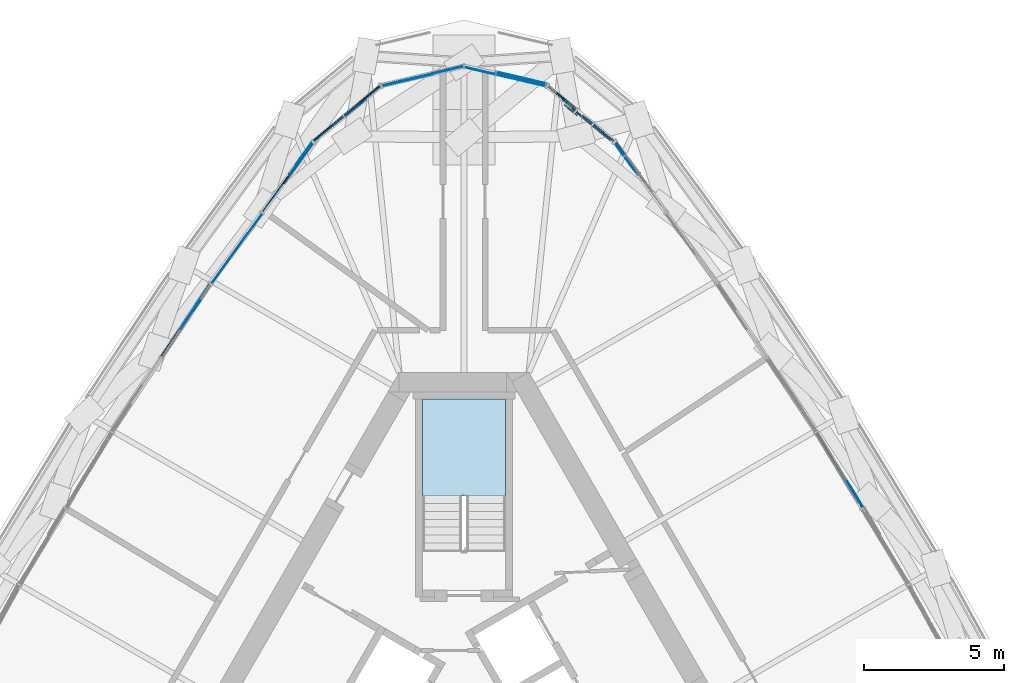
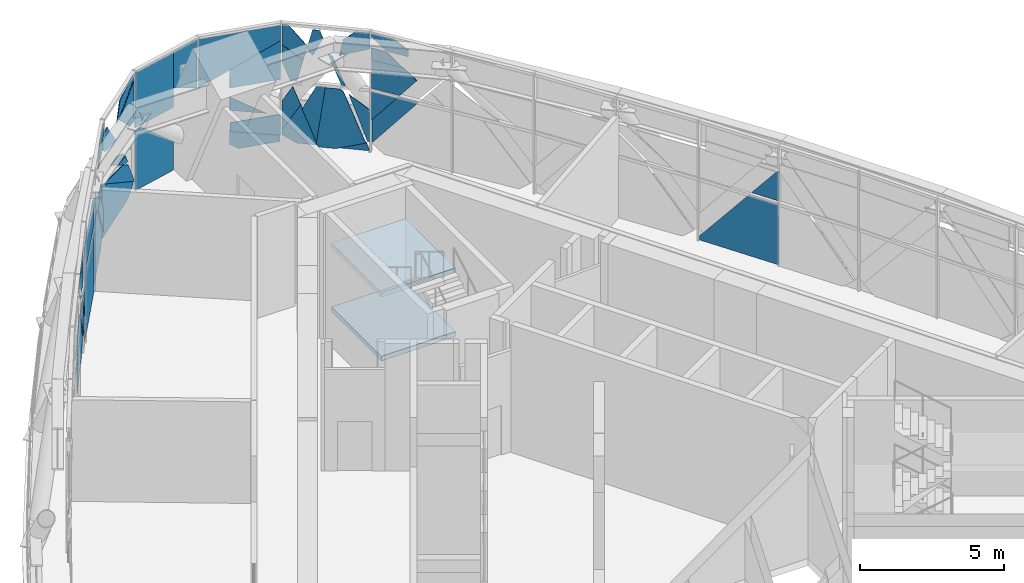
# One storey, part 14 of 33: 45 plates, 2 slabs, 4 elements without a shape of their own.
"""IFC4 building model written with IfcOpenShell, lengths in metres."""

import ifcopenshell
import ifcopenshell.guid

model = None  # the IFC model being written
_history = None  # IfcOwnerHistory: only IFC2X3 demands one
_inside = {}  # id of a spatial element -> (the spatial element, [elements in it])
_under = {}  # id of a project, library or spatial element -> (it, [spatial elements below it])
_declared = {}  # id of a project -> (the project, [libraries it declares])
_typed = {}  # id of a type object -> (the type object, [elements of that type])
_made_of = {}  # id of a material, layer set ... -> (it, [elements and type objects made of it])


def new_model(schema):
    """Start an empty IFC model of exactly this schema.

    Asked for "IFC4X3", IfcOpenShell would pick the latest addendum, in which some entities
    have other attributes; the version numbers below select the first issue.
    IFC2X3 requires an IfcOwnerHistory on every rooted entity: one is made here for all.
    """
    global model, _history
    if schema == "IFC4X3":
        model = ifcopenshell.file(schema_version=(4, 3, 0, 0))
    else:
        model = ifcopenshell.file(schema=schema)
    _inside.clear()
    _under.clear()
    _declared.clear()
    _typed.clear()
    _made_of.clear()
    _history = None
    if model.schema == "IFC2X3":
        org = make("IfcOrganization", Name="unknown")
        user = make(
            "IfcPersonAndOrganization",
            ThePerson=make("IfcPerson", FamilyName="unknown"),
            TheOrganization=org,
        )
        app = make(
            "IfcApplication",
            ApplicationDeveloper=org,
            Version="unknown",
            ApplicationFullName="unknown",
            ApplicationIdentifier="unknown",
        )
        _history = make(
            "IfcOwnerHistory",
            OwningUser=user,
            OwningApplication=app,
            ChangeAction="ADDED",
            CreationDate=0,
        )
    return model


def make(cls, **values):
    """One entity of the class cls with the attributes given. An attribute that is None is left unset."""
    return model.create_entity(
        cls, **{name: value for name, value in values.items() if value is not None}
    )


def rooted(cls, **values):
    """An entity with a GlobalId (a new one), such as an element, a storey or a relation."""
    return make(cls, GlobalId=ifcopenshell.guid.new(), OwnerHistory=_history, **values)


def si_unit(unit_type, name, prefix=None):
    """IfcSIUnit, for example si_unit("LENGTHUNIT", "METRE", prefix="MILLI")."""
    return make("IfcSIUnit", UnitType=unit_type, Prefix=prefix, Name=name)


def assignment(units):
    """IfcUnitAssignment: the units of a project."""
    return None if units is None else make("IfcUnitAssignment", Units=units)


def point(xyz):
    """IfcCartesianPoint."""
    return None if xyz is None else make("IfcCartesianPoint", Coordinates=xyz)


def direction(xyz):
    """IfcDirection."""
    return None if xyz is None else make("IfcDirection", DirectionRatios=xyz)


def frame(location, z_axis=None, x_axis=None):
    """IfcAxis2Placement3D, a coordinate frame: its origin and axes. An axis left out is left unset."""
    return make(
        "IfcAxis2Placement3D",
        Location=point(location),
        Axis=direction(z_axis),
        RefDirection=direction(x_axis),
    )


def frame_2d(location, x_axis=None):
    """IfcAxis2Placement2D, a coordinate frame in the plane: its origin and x axis."""
    return make(
        "IfcAxis2Placement2D", Location=point(location), RefDirection=direction(x_axis)
    )


def origin():
    """The frame at (0, 0, 0) with its axes left unset."""
    return frame((0.0, 0.0, 0.0))


def origin_2d():
    """The frame at (0, 0) in the plane with its x axis left unset."""
    return frame_2d((0.0, 0.0))


def place(relative_to, where):
    """IfcLocalPlacement: puts the frame where relative to a parent placement (None: the world)."""
    return make(
        "IfcLocalPlacement", PlacementRelTo=relative_to, RelativePlacement=where
    )


def context(
    kind, dimensions, precision=None, world=None, true_north=None, identifier=None
):
    """IfcGeometricRepresentationContext, for example the 3D "Model" context."""
    return make(
        "IfcGeometricRepresentationContext",
        ContextIdentifier=identifier,
        ContextType=kind,
        CoordinateSpaceDimension=dimensions,
        Precision=precision,
        WorldCoordinateSystem=world,
        TrueNorth=true_north,
    )


def subcontext(parent, identifier, kind, view, scale=None):
    """IfcGeometricRepresentationSubContext, for example "Body" below "Model"."""
    return make(
        "IfcGeometricRepresentationSubContext",
        ContextIdentifier=identifier,
        ContextType=kind,
        ParentContext=parent,
        TargetScale=scale,
        TargetView=view,
    )


def project(units=None, contexts=None):
    """IfcProject with its units and contexts."""
    return rooted(
        "IfcProject",
        Name="project",
        RepresentationContexts=contexts,
        UnitsInContext=assignment(units),
    )


def spatial(cls, under=None, at=None, **own):
    """A site, building, storey or space (cls), placed at a placement, below another one or the project."""
    s = rooted(cls, ObjectPlacement=at, **own)
    if under is not None:
        _under.setdefault(under.id(), (under, []))[1].append(s)
    return s


def polyline(points):
    """IfcPolyline through the points."""
    return make("IfcPolyline", Points=[point(p) for p in points])


def profile(cls, at=None, kind="AREA", **sizes):
    """A parametric profile (cls). Its sizes go by their IFC names, for example OverallWidth=200.0."""
    return make(cls, ProfileType=kind, Position=at, **sizes)


def rectangle(**sizes):
    """IfcRectangleProfileDef."""
    return profile("IfcRectangleProfileDef", **sizes)


def outline(outer, holes=None, kind="AREA"):
    """IfcArbitraryClosedProfileDef: a profile drawn as a closed curve; with holes, ...WithVoids."""
    if holes is None:
        return make("IfcArbitraryClosedProfileDef", ProfileType=kind, OuterCurve=outer)
    return make(
        "IfcArbitraryProfileDefWithVoids",
        ProfileType=kind,
        OuterCurve=outer,
        InnerCurves=holes,
    )


def extrude(swept, where, along, depth):
    """IfcExtrudedAreaSolid: the profile swept, set in the frame where, extruded along a direction by depth."""
    return make(
        "IfcExtrudedAreaSolid",
        SweptArea=swept,
        Position=where,
        ExtrudedDirection=direction(along),
        Depth=depth,
    )


def shape(context_of_items, identifier, shape_type, items):
    """IfcShapeRepresentation: the items that make up one representation, for example the "Body"."""
    return make(
        "IfcShapeRepresentation",
        ContextOfItems=context_of_items,
        RepresentationIdentifier=identifier,
        RepresentationType=shape_type,
        Items=items,
    )


def material(Name=None, Category=None):
    """IfcMaterial."""
    return make("IfcMaterial", Name=Name, Category=Category)


def layer(
    of_material, thickness, ventilated=None, Name=None, Category=None, Priority=None
):
    """IfcMaterialLayer: one layer of a wall or slab, of a material (None: an air gap)."""
    return make(
        "IfcMaterialLayer",
        Material=of_material,
        LayerThickness=thickness,
        IsVentilated=ventilated,
        Name=Name,
        Category=Category,
        Priority=Priority,
    )


def layer_set(layers, Name=None):
    """IfcMaterialLayerSet."""
    return make("IfcMaterialLayerSet", MaterialLayers=layers, LayerSetName=Name)


def made_of(thing, what):
    """Note that an element or type object is made of a material, layer set ...; save() writes the relation."""
    if what is not None:
        _made_of.setdefault(what.id(), (what, []))[1].append(thing)
    return thing


def type_object(cls, material=None, **own):
    """A type object (cls), such as IfcWallType, which elements share."""
    return made_of(rooted(cls, **own), material)


def element(
    cls,
    number,
    at=None,
    inside=None,
    cuts=None,
    type_object=None,
    material=None,
    context=None,
    identifier="Body",
    shape_type=None,
    held_by="IfcProductDefinitionShape",
    body=None,
    shapes=None,
    **own,
):
    """One element of the class cls, such as IfcWall. Its Tag is "e" and its number.

    at: its placement. inside: the storey or other place that contains it. cuts: it is an
    opening in that element (IfcRelVoidsElement). A single representation is given by context,
    identifier, shape_type and body (its items); several are given by shapes. held_by: the class
    of the entity that holds the representations. save() writes the other relations.
    """
    e = rooted(cls, Tag="e%d" % number, ObjectPlacement=at, **own)
    if body is not None:
        shapes = [shape(context, identifier, shape_type, body)]
    if shapes is not None:
        e.Representation = make(held_by, Representations=shapes)
    if inside is not None:
        _inside.setdefault(inside.id(), (inside, []))[1].append(e)
    if cuts is not None:
        rooted(
            "IfcRelVoidsElement", RelatingBuildingElement=cuts, RelatedOpeningElement=e
        )
    if type_object is not None:
        _typed.setdefault(type_object.id(), (type_object, []))[1].append(e)
    return made_of(e, material)


def aggregate(whole, parts):
    """IfcRelAggregates: a whole, such as a stair, and the parts it consists of."""
    return rooted("IfcRelAggregates", RelatingObject=whole, RelatedObjects=parts)


def save(model, path):
    """Write the relations noted so far, then the file.

    IfcRelAggregates (storeys below a building ...), IfcRelContainedInSpatialStructure (elements
    in a storey), IfcRelDefinesByType, IfcRelAssociatesMaterial and IfcRelDeclares: one each for
    every whole, place, type object, material and project.
    """
    for whole, parts in _under.values():
        aggregate(whole, parts)
    for where, things in _inside.values():
        rooted(
            "IfcRelContainedInSpatialStructure",
            RelatedElements=things,
            RelatingStructure=where,
        )
    for kind, things in _typed.values():
        rooted("IfcRelDefinesByType", RelatedObjects=things, RelatingType=kind)
    for what, things in _made_of.values():
        rooted("IfcRelAssociatesMaterial", RelatedObjects=things, RelatingMaterial=what)
    for by, libraries in _declared.values():
        rooted("IfcRelDeclares", RelatingContext=by, RelatedDefinitions=libraries)
    model.write(path)


model = new_model("IFC4")

# Units and contexts
model_context = context("Model", 3, precision=1e-05, world=origin(), true_north=direction((0.0, 1.0)))
body_context = subcontext(model_context, "Body", "Model", "MODEL_VIEW")
ifc_project = project(units=[si_unit("LENGTHUNIT", "METRE"), si_unit("AREAUNIT", "SQUARE_METRE"), si_unit("VOLUMEUNIT", "CUBIC_METRE"), si_unit("PLANEANGLEUNIT", "RADIAN"), si_unit("MASSUNIT", "GRAM", prefix="KILO")], contexts=[model_context])

# Site, building, storey
site_placement = place(None, origin())
site = spatial("IfcSite", under=ifc_project, at=site_placement, CompositionType="ELEMENT")
building_placement = place(site_placement, origin())
building = spatial("IfcBuilding", under=site, at=building_placement, Name="Mestral Congress Tower", CompositionType="ELEMENT")
storey_placement = place(building_placement, frame((0.0, 0.0, 256.199951171875)))
storey = spatial("IfcBuildingStorey", under=building, at=storey_placement, Name="L60", CompositionType="ELEMENT", Elevation=256.199951171875)

# Stair, slabs
ifc_material_1 = material(Name="Concrete C60/75", Category="concrete")
stair_type = type_object("IfcStairType", Name="Exit stair 1400", PredefinedType="HALF_TURN_STAIR", material=ifc_material_1)
placement = place(storey_placement, origin())
stair = element("IfcStair", 1, at=placement, inside=storey, type_object=stair_type, Name="L60 ST2", PredefinedType="HALF_TURN_STAIR")
ifc_layer_1 = layer(ifc_material_1, 0.199951171875)
ifc_layer_set_1 = layer_set([ifc_layer_1], Name="Concrete C60/75")
slab_type = type_object("IfcSlabType", Name="Exit stair landing 200", PredefinedType="LANDING", material=ifc_layer_set_1)
slab_1_placement = place(storey_placement, frame((0.0, 0.0, 1.150146484375)))
slab_1 = element("IfcSlab", 2, at=slab_1_placement, type_object=slab_type, Name="ST2 landing 1", PredefinedType="LANDING", context=body_context, shape_type="SweptSolid", body=[
    extrude(outline(polyline([(1.485107421875, 12.300048828125), (-1.485107421875, 12.300048828125), (-1.485107421875, 15.760009765625), (1.485107421875, 15.760009765625), (1.485107421875, 12.300048828125)])), origin(), (0.0, 0.0, 1.0), 0.199951171875),
])
slab_2_placement = place(storey_placement, frame((0.0, 0.0, 3.85009765625)))
slab_2 = element("IfcSlab", 3, at=slab_2_placement, type_object=slab_type, Name="ST2 landing 3", PredefinedType="LANDING", context=body_context, shape_type="SweptSolid", body=[
    extrude(outline(polyline([(1.485107421875, 12.300048828125), (-1.485107421875, 12.300048828125), (-1.485107421875, 15.760009765625), (1.485107421875, 15.760009765625), (1.485107421875, 12.300048828125)])), origin(), (0.0, 0.0, 1.0), 0.199951171875),
])
aggregate(stair, [slab_1, slab_2])

# Curtain wall, plate
ifc_material_2 = material(Name="Clear low-emissivity double glazing", Category="glass")
curtain_wall_type = type_object("IfcCurtainWallType", Name="Facade refuge band screen", PredefinedType="USERDEFINED", material=ifc_material_2)
curtain_wall_1 = element("IfcCurtainWall", 4, at=placement, inside=storey, type_object=curtain_wall_type, Name="Facade refuge band screen face 2", ObjectType="CURTAIN WALL", PredefinedType="USERDEFINED")
ifc_material_3 = material(Name="Anodised aluminium", Category="aluminium")
ifc_layer_2 = layer(ifc_material_3, 0.028076171875)
ifc_layer_set_2 = layer_set([ifc_layer_2], Name="Anodised aluminium")
plate_type_1 = type_object("IfcPlateType", Name="Facade refuge band screen brace cover panel", PredefinedType="CURTAIN_PANEL", material=ifc_layer_set_2)
plate_1_placement = place(storey_placement, frame((5.429443359375, 24.91455078125, 0.378662109375), z_axis=(0.809664569221, 0.58688993868, 0.001866875457), x_axis=(0.458587427149, -0.63066886377, -0.626062581483)))
plate_1 = element("IfcPlate", 5, at=plate_1_placement, type_object=plate_type_1, Name="Facade refuge band screen brace cover panel", PredefinedType="CURTAIN_PANEL", context=body_context, shape_type="SweptSolid", body=[
    extrude(outline(polyline([(0.0, 0.0), (0.03275633381861033, 0.0), (0.026599179316787014, -2.793167457083479), (-0.5880472035788095, -2.299679979217724), (-0.584542859964684, -0.7282626321626741), (0.0, 0.0)])), origin(), (0.0, 0.0, -1.0), 0.028076171875),
])

# Curtain wall, plates
curtain_wall_2 = element("IfcCurtainWall", 6, at=placement, inside=storey, type_object=curtain_wall_type, Name="Facade refuge band screen face 3", ObjectType="CURTAIN WALL", PredefinedType="USERDEFINED")
plate_2_placement = place(storey_placement, frame((-5.395751953125, 24.858642578125, 0.358154296875), z_axis=(-0.809732303236, 0.586796640995, 0.001816373589), x_axis=(0.458489090935, 0.63074025656, 0.626062682363)))
plate_2 = element("IfcPlate", 7, at=plate_2_placement, type_object=plate_type_1, Name="Facade refuge band screen brace cover panel", PredefinedType="CURTAIN_PANEL", context=body_context, shape_type="SweptSolid", body=[
    extrude(outline(polyline([(0.0, 0.0), (0.032756352947551706, 0.0), (0.617299075921391, -0.7282627302936622), (0.6208031818787325, -2.2996800751909534), (0.006002742858247645, -2.7932914219492186), (0.0, 0.0)])), origin(), (0.0, 0.0, -1.0), 0.028076171875),
])
plate_3_placement = place(storey_placement, frame((-7.19482421875, 22.4208984375, 2.66015625), z_axis=(-0.809551065622, 0.587045787331, 0.00207743263), x_axis=(0.5870470541, 0.809552812529, 0.0)))
plate_3 = element("IfcPlate", 8, at=plate_3_placement, type_object=plate_type_1, Name="Facade refuge band screen brace cover panel", PredefinedType="CURTAIN_PANEL", context=body_context, shape_type="SweptSolid", body=[
    extrude(outline(polyline([(0.0, 0.0), (1.962949548852253, 2.168404344971009e-19), (-3.929210018894917e-05, -1.1750513637277922), (0.0, 0.0)])), origin(), (0.0, 0.0, -1.0), 0.028076171875),
])
plate_4_placement = place(storey_placement, frame((-5.398681640625, 24.89208984375, 4.387939453125), z_axis=(-0.809530713076, 0.587074463045, 0.001897215521), x_axis=(-0.587075519614, -0.809532170003, -6.26e-10)))
plate_4 = element("IfcPlate", 9, at=plate_4_placement, type_object=plate_type_1, Name="Facade refuge band screen brace cover panel", PredefinedType="CURTAIN_PANEL", context=body_context, shape_type="SweptSolid", body=[
    extrude(outline(polyline([(0.0, 0.0), (1.4047709846510255, 2.168404344971009e-19), (1.4048056924861247, -0.4184579468937972), (1.26758106880087, -0.5000007568148233), (-0.0001629318037604517, -0.5000010408157917), (0.0, 0.0)])), origin(), (0.0, 0.0, -1.0), 0.028076171875),
])
plate_5_placement = place(storey_placement, frame((-6.20458984375, 23.7412109375, 4.97998046875), z_axis=(-0.809590142537, 0.586991951382, 0.002061582031), x_axis=(-0.00164948103, 0.001237110772, -0.999997874382)))
plate_5 = element("IfcPlate", 10, at=plate_5_placement, type_object=plate_type_1, Name="Facade refuge band screen brace cover panel", PredefinedType="CURTAIN_PANEL", context=body_context, shape_type="SweptSolid", body=[
    extrude(outline(polyline([(0.0, 0.0), (0.5920422740804924, 1.8634724839594607e-19), (0.5920890885750546, -1.4049686308246894), (4.6814494562238875e-05, -1.4049686308246896), (0.0, 0.0)])), origin(), (0.0, 0.0, -1.0), 0.028076171875),
])
plate_6_placement = place(storey_placement, frame((-10.112548828125, 18.260498046875, 2.5400390625), z_axis=(-0.833280683349, 0.552846973725, 0.001877871238), x_axis=(0.346319506411, 0.524633028814, -0.777703661144)))
plate_6 = element("IfcPlate", 11, at=plate_6_placement, type_object=plate_type_1, Name="Facade refuge band screen brace cover panel", PredefinedType="CURTAIN_PANEL", context=body_context, shape_type="SweptSolid", body=[
    extrude(outline(polyline([(0.0, 0.0), (2.7907931511836774, 0.0), (2.7907676080499213, -0.19609538167157514), (2.278264970723852, -0.6102675577465161), (0.49325610694758126, -0.610228975706777), (0.0, 0.0)])), origin(), (0.0, 0.0, -1.0), 0.028076171875),
])
plate_7_placement = place(storey_placement, frame((-9.0810546875, 19.864501953125, 3.853759765625), z_axis=(-0.833255461673, 0.552884452027, 0.002029359351), x_axis=(-0.552269986929, -0.832491707348, 0.044220116849)))
plate_7 = element("IfcPlate", 12, at=plate_7_placement, type_object=plate_type_1, Name="Facade refuge band screen brace cover panel", PredefinedType="CURTAIN_PANEL", context=body_context, shape_type="SweptSolid", body=[
    extrude(outline(polyline([(0.0, 0.0), (0.772950901875064, 6.938893903907228e-18), (2.32489349132223, -0.06869441996030529), (1.5455354239601105, -0.9498902101092078), (1.140292430148677, -1.2452475743153404), (-0.052718859843186576, -1.1924409271610994), (0.0, 0.0)])), origin(), (0.0, 0.0, -1.0), 0.028076171875),
])

curtain_wall_3 = element("IfcCurtainWall", 13, at=placement, inside=storey, type_object=curtain_wall_type, Name="Facade refuge band screen corner 2", ObjectType="CURTAIN WALL", PredefinedType="USERDEFINED")
plate_8_placement = place(storey_placement, frame((5.302734375, 24.9921875, 0.37841796875), z_axis=(0.638157949539, 0.769903049893, 0.001930079358), x_axis=(0.72761953412, -0.603925539745, 0.325336373635)))
plate_8 = element("IfcPlate", 14, at=plate_8_placement, type_object=plate_type_1, Name="Facade refuge band screen brace cover panel", PredefinedType="CURTAIN_PANEL", context=body_context, shape_type="SweptSolid", body=[
    extrude(outline(polyline([(0.0, 0.0), (0.080296201914795, 0.0), (0.5113852767336581, -1.2526040374721077), (0.0014837027656074975, -2.0316790763209363), (0.0, 0.0)])), origin(), (0.0, 0.0, -1.0), 0.028076171875),
])
plate_9_placement = place(storey_placement, frame((2.98095703125, 26.916015625, 0.510009765625), z_axis=(0.638211970575, 0.769858053898, 0.002014314861), x_axis=(0.380794044428, -0.317949910522, 0.868276309781)))
plate_9 = element("IfcPlate", 15, at=plate_9_placement, type_object=plate_type_1, Name="Facade refuge band screen brace cover panel", PredefinedType="CURTAIN_PANEL", context=body_context, shape_type="SweptSolid", body=[
    extrude(outline(polyline([(0.0, 0.0), (1.3277247549046982, 1.1102230246251565e-16), (1.8348768434007754, -0.6104216095153272), (1.0684500576937674, -0.6103062983468961), (0.0, 0.0)])), origin(), (0.0, 0.0, -1.0), 0.028076171875),
])
plate_10_placement = place(storey_placement, frame((2.976318359375, 26.910400390625, 4.128662109375), z_axis=(0.638231453787, 0.769841851012, 0.002033673118), x_axis=(0.001268260263, 0.001590229628, -0.999997931341)))
plate_10 = element("IfcPlate", 16, at=plate_10_placement, type_object=plate_type_1, Name="Facade refuge band screen brace cover panel", PredefinedType="CURTAIN_PANEL", context=body_context, shape_type="SweptSolid", body=[
    extrude(outline(polyline([(0.0, 0.0), (0.7075212473668157, -1.3552527156068805e-20), (1.4684979150552613, -0.28520980256436845), (1.4684883908260657, -0.5335009366398936), (0.5807830877581286, -0.7486499691132322), (0.0, 0.0)])), origin(), (0.0, 0.0, -1.0), 0.028076171875),
])
plate_11_placement = place(storey_placement, frame((3.572509765625, 26.456787109375, 3.5478515625), z_axis=(0.638128521449, 0.769927194304, 0.00202622431), x_axis=(0.180281744391, -0.151978024451, 0.971803052436)))
plate_11 = element("IfcPlate", 17, at=plate_11_placement, type_object=plate_type_1, Name="Facade refuge band screen brace cover panel", PredefinedType="CURTAIN_PANEL", context=body_context, shape_type="SweptSolid", body=[
    extrude(outline(polyline([(0.0, 0.0), (0.6149974042189446, 0.0), (1.2644633135740455, -0.8623078347102568), (1.2152803518711748, -1.065018877079507), (0.38792000396773724, -0.8644673812241246), (0.0, 0.0)])), origin(), (0.0, 0.0, -1.0), 0.028076171875),
])
plate_12_placement = place(storey_placement, frame((3.927734375, 25.95361328125, 4.97998046875), z_axis=(0.637988260584, 0.770043503018, 0.001995699571), x_axis=(-0.770045036952, 0.63798953053, 3.60094e-07)))
plate_12 = element("IfcPlate", 18, at=plate_12_placement, type_object=plate_type_1, Name="Facade refuge band screen brace cover panel", PredefinedType="CURTAIN_PANEL", context=body_context, shape_type="SweptSolid", body=[
    extrude(outline(polyline([(0.0, 0.0), (0.24725985486931737, -2.710505431213761e-20), (0.4496264886410269, -0.8344743408984859), (0.23421799647975597, -1.0969261187504824), (-0.12541331845446735, -0.3293460969896177), (0.0, 0.0)])), origin(), (0.0, 0.0, -1.0), 0.028076171875),
])
plate_13_placement = place(storey_placement, frame((4.60498046875, 25.564697265625, 2.66015625), z_axis=(0.63807507245, 0.769971325621, 0.002087974862), x_axis=(0.769973001835, -0.638076465984, 1.643492e-06)))
plate_13 = element("IfcPlate", 19, at=plate_13_placement, type_object=plate_type_1, Name="Facade refuge band screen brace cover panel", PredefinedType="CURTAIN_PANEL", context=body_context, shape_type="SweptSolid", body=[
    extrude(outline(polyline([(0.0, 0.0), (0.11200118998560465, -1.3552527156068805e-20), (-0.33679098252987605, -1.1813999105994095), (-0.4924924882863193, -1.2553745720685703), (-0.04060649760245708, -0.04931711212955921), (0.0, 0.0)])), origin(), (0.0, 0.0, -1.0), 0.028076171875),
])
plate_14_placement = place(storey_placement, frame((5.35546875, 24.9365234375, 4.97998046875), z_axis=(0.638115902733, 0.769937569006, 0.002057793346), x_axis=(-0.769939198595, 0.638117254481, -4.34905e-07)))
plate_14 = element("IfcPlate", 20, at=plate_14_placement, type_object=plate_type_1, Name="Facade refuge band screen brace cover panel", PredefinedType="CURTAIN_PANEL", context=body_context, shape_type="SweptSolid", body=[
    extrude(outline(polyline([(0.0, 0.0), (0.504896967792603, -1.0842021724855044e-19), (0.9532134996545342, -0.3981937717528145), (1.0780900405808416, -1.079103485290175), (0.00021531947575270026, -0.6623550089629469), (0.0, 0.0)])), origin(), (0.0, 0.0, -1.0), 0.028076171875),
])
plate_15_placement = place(storey_placement, frame((2.426513671875, 27.060302734375, 1.326416015625), z_axis=(0.228551156954, 0.973530008318, 0.00192134324), x_axis=(-0.790640902491, 0.184462881272, 0.583832517715)))
plate_15 = element("IfcPlate", 21, at=plate_15_placement, type_object=plate_type_1, Name="Facade refuge band screen brace cover panel", PredefinedType="CURTAIN_PANEL", context=body_context, shape_type="SweptSolid", body=[
    extrude(outline(polyline([(0.0, 0.0), (1.6279316829492965, -1.1102230246251565e-16), (1.2985284972212372, -0.4520539552158206), (0.0, 0.0)])), origin(), (0.0, 0.0, -1.0), 0.028076171875),
])
plate_16_placement = place(storey_placement, frame((2.914794921875, 26.918701171875, 0.320068359375), z_axis=(0.228673722454, 0.973500925128, 0.002068195953), x_axis=(-0.000298735972, -0.002054315901, 0.999997845269)))
plate_16 = element("IfcPlate", 22, at=plate_16_placement, type_object=plate_type_1, Name="Facade refuge band screen brace cover panel", PredefinedType="CURTAIN_PANEL", context=body_context, shape_type="SweptSolid", body=[
    extrude(outline(polyline([(0.0, 0.0), (0.8557146305214226, 2.710505431213761e-20), (0.8920698481364084, -0.12211706055734926), (0.8917655273685724, -1.822941108926798), (0.5233568871862446, -1.8205542949796654), (0.0, 0.0)])), origin(), (0.0, 0.0, -1.0), 0.028076171875),
])
plate_17_placement = place(storey_placement, frame((1.484619140625, 27.341552734375, 0.0), z_axis=(0.228595020073, 0.973519544585, 0.002003274721), x_axis=(0.973521498057, -0.228595478564, -1.02138e-07)))
plate_17 = element("IfcPlate", 23, at=plate_17_placement, type_object=plate_type_1, Name="Facade refuge band screen brace cover panel", PredefinedType="CURTAIN_PANEL", context=body_context, shape_type="SweptSolid", body=[
    extrude(outline(polyline([(0.0, 0.0), (1.489119324361218, 1.0842021724855044e-19), (1.4890490438519783, -0.32006925732597236), (-0.3314116993173619, -0.8437514429884577), (-0.3279023045393908, -0.23657277415320724), (0.0, 0.0)])), origin(), (0.0, 0.0, -1.0), 0.028076171875),
])
plate_18_placement = place(storey_placement, frame((2.912353515625, 26.90771484375, 4.97998046875), z_axis=(0.228652869037, 0.973505885129, 0.002038896866), x_axis=(-0.973507908642, 0.228653344194, 5.6286e-08)))
plate_18 = element("IfcPlate", 24, at=plate_18_placement, type_object=plate_type_1, Name="Facade refuge band screen brace cover panel", PredefinedType="CURTAIN_PANEL", context=body_context, shape_type="SweptSolid", body=[
    extrude(outline(polyline([(0.0, 0.0), (2.9665097757566983, 0.0), (2.9665079696910652, -2.051029820771789), (4.1408414431492e-05, -0.6503918099017896), (0.0, 0.0)])), origin(), (0.0, 0.0, -1.0), 0.028076171875),
])
plate_19_placement = place(storey_placement, frame((2.92041015625, 26.94140625, 2.66015625), z_axis=(0.228671963301, 0.973501419514, 0.0020296318), x_axis=(-0.000595279033, -0.001945044904, 0.999997931219)))
plate_19 = element("IfcPlate", 25, at=plate_19_placement, type_object=plate_type_1, Name="Facade refuge band screen brace cover panel", PredefinedType="CURTAIN_PANEL", context=body_context, shape_type="SweptSolid", body=[
    extrude(outline(polyline([(0.0, 0.0), (1.669436894623665, -1.0842021724855044e-19), (0.8024952170944932, -1.8367646132418094), (0.00024663598715068394, -1.8317555768651452), (0.0, 0.0)])), origin(), (0.0, 0.0, -1.0), 0.028076171875),
])
plate_20_placement = place(storey_placement, frame((-1.13623046875, 27.349365234375, 0.0), z_axis=(-0.228587089903, 0.973521343236, 0.0020338616), x_axis=(0.000208523118, -0.00204021375, 0.999997897021)))
plate_20 = element("IfcPlate", 26, at=plate_20_placement, type_object=plate_type_1, Name="Facade refuge band screen brace cover panel", PredefinedType="CURTAIN_PANEL", context=body_context, shape_type="SweptSolid", body=[
    extrude(outline(polyline([(0.0, 0.0), (1.216555207889433, 1.6263032587282567e-19), (2.5404454018677924, -1.5230190983796517), (2.540526196452527, -1.8292389727582732), (0.0004817609768343301, -1.8299243577908164), (0.0, 0.0)])), origin(), (0.0, 0.0, -1.0), 0.028076171875),
])
plate_21_placement = place(storey_placement, frame((-2.91552734375, 26.92138671875, 4.97998046875), z_axis=(-0.228659448833, 0.973504588639, 0.001916339817), x_axis=(-0.000415460685, 0.001870907757, -0.999998163547)))
plate_21 = element("IfcPlate", 27, at=plate_21_placement, type_object=plate_type_1, Name="Facade refuge band screen brace cover panel", PredefinedType="CURTAIN_PANEL", context=body_context, shape_type="SweptSolid", body=[
    extrude(outline(polyline([(0.0, 0.0), (2.3198285859868686, 1.9651164376299768e-19), (2.3198711872454583, -1.8292113918077015), (4.280412025190687e-05, -1.8287360468925953), (0.0, 0.0)])), origin(), (0.0, 0.0, -1.0), 0.028076171875),
])
plate_22_placement = place(storey_placement, frame((-1.122314453125, 27.35888671875, 4.97998046875), z_axis=(-0.22864887866, 0.973506893477, 0.00200465483), x_axis=(-0.006261117689, 0.000588611806, -0.999980225775)))
plate_22 = element("IfcPlate", 28, at=plate_22_placement, type_object=plate_type_1, Name="Facade refuge band screen brace cover panel", PredefinedType="CURTAIN_PANEL", context=body_context, shape_type="SweptSolid", body=[
    extrude(outline(polyline([(0.0, 0.0), (1.517608306019472, 1.734723475976807e-18), (2.0443128531346035, -1.1329226877870955), (-0.006680393690863458, -1.1207547130214155), (0.0, 0.0)])), origin(), (0.0, 0.0, -1.0), 0.028076171875),
])
plate_23_placement = place(storey_placement, frame((-2.981201171875, 26.916015625, 0.423583984375), z_axis=(-0.638145374653, 0.769913531127, 0.00190667179), x_axis=(0.002891215147, -8.0071643e-05, 0.999995817223)))
plate_23 = element("IfcPlate", 29, at=plate_23_placement, type_object=plate_type_1, Name="Facade refuge band screen brace cover panel", PredefinedType="CURTAIN_PANEL", context=body_context, shape_type="SweptSolid", body=[
    extrude(outline(polyline([(0.0, 0.0), (0.08642612561330341, 0.0), (1.0683585708302326, -0.5637330632378272), (1.4011643606969955, -1.1062395528476094), (1.8119465706194031, -2.9520792849035487), (0.0, 0.0)])), origin(), (0.0, 0.0, -1.0), 0.028076171875),
])
plate_24_placement = place(storey_placement, frame((-5.031005859375, 25.206787109375, 4.474365234375), z_axis=(-0.638034402824, 0.770004977019, 0.002106223917), x_axis=(-0.7588326717, -0.62830788032, -0.171470650222)))
plate_24 = element("IfcPlate", 30, at=plate_24_placement, type_object=plate_type_1, Name="Facade refuge band screen brace cover panel", PredefinedType="CURTAIN_PANEL", context=body_context, shape_type="SweptSolid", body=[
    extrude(outline(polyline([(0.0, 0.0), (0.4285647891638058, 0.0), (0.5433092628263889, -0.660519121526514), (0.32156385467343457, -0.8787770252993297), (-0.6812580685078127, -1.2951809119035103), (0.0, 0.0)])), origin(), (0.0, 0.0, -1.0), 0.028076171875),
])
plate_25_placement = place(storey_placement, frame((-4.013427734375, 26.08837890625, 4.708740234375), z_axis=(-0.638033527334, 0.770006321779, 0.001866123817), x_axis=(-0.271391671662, -0.222608042197, -0.936371838589)))
plate_25 = element("IfcPlate", 31, at=plate_25_placement, type_object=plate_type_1, Name="Facade refuge band screen brace cover panel", PredefinedType="CURTAIN_PANEL", context=body_context, shape_type="SweptSolid", body=[
    extrude(outline(polyline([(0.0, 0.0), (0.8471133952284976, 0.0), (-0.44385317145747066, -1.2466621384828582), (-0.6800154988235468, -1.1581696583805754), (0.0, 0.0)])), origin(), (0.0, 0.0, -1.0), 0.028076171875),
])
plate_26_placement = place(storey_placement, frame((-2.9755859375, 26.90966796875, 4.686767578125), z_axis=(-0.638038046488, 0.770002273729, 0.001987381459), x_axis=(-0.695844482617, -0.575480536497, -0.429677330244)))
plate_26 = element("IfcPlate", 32, at=plate_26_placement, type_object=plate_type_1, Name="Facade refuge band screen brace cover panel", PredefinedType="CURTAIN_PANEL", context=body_context, shape_type="SweptSolid", body=[
    extrude(outline(polyline([(0.0, 0.0), (1.627311016161035, 1.1102230246251565e-16), (1.0451926215064087, -1.375789327367912), (0.7607305452562212, -1.5987491952738664), (0.0, 0.0)])), origin(), (0.0, 0.0, -1.0), 0.028076171875),
])

# Plate
ifc_layer_3 = layer(ifc_material_2, 0.028076171875)
ifc_layer_set_3 = layer_set([ifc_layer_3], Name="Clear low-emissivity double glazing")
plate_type_2 = type_object("IfcPlateType", Name="Facade refuge band screen panel", PredefinedType="CURTAIN_PANEL", material=ifc_layer_set_3)
plate_27_placement = place(storey_placement, frame((14.18310546875, 11.889892578125, 2.5400390625), z_axis=(0.855470466186, 0.517847872788, 0.001965230946), x_axis=(-0.517848872642, 0.85547211825, -8.7962e-08)))
plate_27 = element("IfcPlate", 33, at=plate_27_placement, type_object=plate_type_2, Name="Refuge screen glass unit", PredefinedType="CURTAIN_PANEL", context=body_context, shape_type="SweptSolid", body=[
    extrude(outline(polyline([(0.0, 0.0), (1.1900315643680521, -2.168404344971009e-19), (3.1161213983122837, -2.3586470777685005), (3.115994986320889, -2.5400436223149256), (2.193084755417999e-05, -2.5400442786578514), (0.0, 0.0)])), origin(), (0.0, 0.0, -1.0), 0.028076171875),
])

plate_28_placement = place(storey_placement, frame((14.17919921875, 11.99169921875, 3.887939453125), z_axis=(0.855551538858, 0.517714125979, 0.001910005265), x_axis=(-0.326240885918, 0.541988587586, -0.774477407858)))
plate_28 = element("IfcPlate", 34, at=plate_28_placement, type_object=plate_type_2, Name="Refuge screen glass unit", PredefinedType="CURTAIN_PANEL", context=body_context, shape_type="SweptSolid", body=[
    extrude(outline(polyline([(0.0, 0.0), (1.5853049709696565, 0.0), (0.8945768879885282, -0.8456445235305252), (-0.05625823385729077, -0.0688752815943128), (0.0, 0.0)])), origin(), (0.0, 0.0, -1.0), 0.028076171875),
])

plate_29_placement = place(storey_placement, frame((5.377197265625, 24.876708984375, 2.5400390625), z_axis=(0.8094222969, 0.587223061999, 0.002149590104), x_axis=(0.001789971992, 0.001193314661, -0.999997685998)))
plate_29 = element("IfcPlate", 35, at=plate_29_placement, type_object=plate_type_2, Name="Refuge screen glass unit", PredefinedType="CURTAIN_PANEL", context=body_context, shape_type="SweptSolid", body=[
    extrude(outline(polyline([(0.0, 0.0), (1.2275419030350117, 1.8973538018496328e-19), (8.361360052105309e-05, -0.9811783273211696), (0.0, 0.0)])), origin(), (0.0, 0.0, -1.0), 0.028076171875),
])

plate_30_placement = place(storey_placement, frame((5.4013671875, 24.894287109375, 2.66015625), z_axis=(0.80961551686, 0.586957225654, 0.001982450779), x_axis=(0.586958379273, -0.809617107651, -1.31639e-07)))
plate_30 = element("IfcPlate", 36, at=plate_30_placement, type_object=plate_type_2, Name="Refuge screen glass unit", PredefinedType="CURTAIN_PANEL", context=body_context, shape_type="SweptSolid", body=[
    extrude(outline(polyline([(0.0, 0.0), (1.077191042687133, 0.0), (1.7251560330098248, -0.8105488501926142), (1.2011723907988117, -1.2277856335275903), (3.9397850955908686e-05, -1.227785629797935), (0.0, 0.0)])), origin(), (0.0, 0.0, -1.0), 0.028076171875),
])

plate_31_placement = place(storey_placement, frame((5.374267578125, 24.87451171875, 4.387939453125), z_axis=(0.80955494519, 0.587040862856, 0.001953472841), x_axis=(0.001390101204, 0.00141064406, -0.999998038849)))
plate_31 = element("IfcPlate", 37, at=plate_31_placement, type_object=plate_type_2, Name="Refuge screen glass unit", PredefinedType="CURTAIN_PANEL", context=body_context, shape_type="SweptSolid", body=[
    extrude(outline(polyline([(0.0, 0.0), (0.5000010707516308, 0.0), (0.499609473335721, -1.201132930750501), (-0.00018668560930603474, -0.573022719398182), (0.0, 0.0)])), origin(), (0.0, 0.0, -1.0), 0.028076171875),
])

plate_32_placement = place(storey_placement, frame((5.397705078125, 24.8916015625, 4.97998046875), z_axis=(0.809578441943, 0.587008503953, 0.001939749477), x_axis=(0.002190129214, 0.000283919822, -0.999997561359)))
plate_32 = element("IfcPlate", 38, at=plate_32_placement, type_object=plate_type_2, Name="Refuge screen glass unit", PredefinedType="CURTAIN_PANEL", context=body_context, shape_type="SweptSolid", body=[
    extrude(outline(polyline([(0.0, 0.0), (0.13574239117302506, 2.710505431213761e-20), (0.5926469641228449, -0.5725753159360444), (0.5935251886247035, -1.4043230847401755), (0.32057542746815615, -1.404719934360924), (0.0009001766485868804, -0.8525513456013336), (0.0, 0.0)])), origin(), (0.0, 0.0, -1.0), 0.028076171875),
])

aggregate(curtain_wall_1, [plate_27, plate_28, plate_29, plate_1, plate_30, plate_31, plate_32])

plate_33_placement = place(storey_placement, frame((-7.19921875, 22.424072265625, 0.0), z_axis=(-0.809577610155, 0.587009451195, 0.00199933581), x_axis=(0.587010624581, 0.809579228136, 8.8839e-08)))
plate_33 = element("IfcPlate", 39, at=plate_33_placement, type_object=plate_type_2, Name="Refuge screen glass unit", PredefinedType="CURTAIN_PANEL", context=body_context, shape_type="SweptSolid", body=[
    extrude(outline(polyline([(0.0, 0.0), (2.5817797191088236, -4.336808689942018e-19), (3.029531327891906, -0.35815500524541943), (1.28563262799966, -2.540044019609039), (-0.00013291627550528882, -2.5400444286147765), (0.0, 0.0)])), origin(), (0.0, 0.0, -1.0), 0.028076171875),
])

plate_34_placement = place(storey_placement, frame((-6.001953125, 24.11767578125, 2.5400390625), z_axis=(-0.809438295283, 0.587201113107, 0.002121060094), x_axis=(0.365262584211, 0.506324689259, -0.78116486968)))
plate_34 = element("IfcPlate", 40, at=plate_34_placement, type_object=plate_type_2, Name="Refuge screen glass unit", PredefinedType="CURTAIN_PANEL", context=body_context, shape_type="SweptSolid", body=[
    extrude(outline(polyline([(0.0, 0.0), (1.571421255499641, 0.0), (0.7283696413328358, -0.6739854801465566), (0.45400221816144926, -0.5680578712766078), (0.0, 0.0)])), origin(), (0.0, 0.0, -1.0), 0.028076171875),
])

plate_35_placement = place(storey_placement, frame((-8.09619140625, 21.11328125, 0.0), z_axis=(0.0, 0.0, 1.0), x_axis=(-0.587009794019, -0.80957983036, 0.0)))
plate_35 = element("IfcPlate", 41, at=plate_35_placement, type_object=plate_type_2, Name="Refuge screen glass unit", PredefinedType="CURTAIN_PANEL", context=body_context, shape_type="SweptSolid", body=[
    extrude(rectangle(XDim=3.05517578125, YDim=0.028076171875, at=origin_2d()), origin(), (0.0, 0.0, 1.0), 2.5400390625),
])

plate_36_placement = place(storey_placement, frame((-7.22802734375, 22.370849609375, 3.87109375), z_axis=(-0.809567025532, 0.587024311399, 0.001920676466), x_axis=(-0.504411451023, -0.697301597478, 0.509253934919)))
plate_36 = element("IfcPlate", 42, at=plate_36_placement, type_object=plate_type_2, Name="Refuge screen glass unit", PredefinedType="CURTAIN_PANEL", context=body_context, shape_type="SweptSolid", body=[
    extrude(outline(polyline([(0.0, 0.0), (0.0330784330549313, 3.469446951953614e-18), (2.637916876166439, -1.5413688646684272), (2.0126271894753187, -2.5980004727438173), (-0.6167109460882286, -1.0421339573488588), (0.0, 0.0)])), origin(), (0.0, 0.0, -1.0), 0.028076171875),
])

plate_37_placement = place(storey_placement, frame((-10.805908203125, 17.26953125, 2.5400390625), z_axis=(-0.83321688642, 0.552942503313, 0.002051393555), x_axis=(-0.001706833837, 0.001137960022, -0.99999789588)))
plate_37 = element("IfcPlate", 43, at=plate_37_placement, type_object=plate_type_2, Name="Refuge screen glass unit", PredefinedType="CURTAIN_PANEL", context=body_context, shape_type="SweptSolid", body=[
    extrude(outline(polyline([(0.0, 0.0), (2.540044552555929, 1.6432439176733427e-19), (2.540055534785159, -2.506110175048192), (2.1704275721276893, -2.963508361116753), (5.627433068065152e-06, -1.2091438196282067), (0.0, 0.0)])), origin(), (0.0, 0.0, -1.0), 0.028076171875),
])

plate_38_placement = place(storey_placement, frame((-9.033203125, 19.832763671875, 2.5400390625), z_axis=(-0.83318494883, 0.55299115925, 0.001902323513), x_axis=(-0.552992159844, -0.833186456414, 0.0)))
plate_38 = element("IfcPlate", 44, at=plate_38_placement, type_object=plate_type_2, Name="Refuge screen glass unit", PredefinedType="CURTAIN_PANEL", context=body_context, shape_type="SweptSolid", body=[
    extrude(outline(polyline([(0.0, 0.0), (1.122268114840716, 0.0), (-5.417309541893965e-06, -1.3881861055603306), (0.0, 0.0)])), origin(), (0.0, 0.0, -1.0), 0.028076171875),
])

aggregate(curtain_wall_2, [plate_33, plate_34, plate_2, plate_3, plate_4, plate_5, plate_35, plate_36, plate_37, plate_38, plate_6, plate_7])

plate_39_placement = place(storey_placement, frame((5.3583984375, 24.947021484375, 0.0), z_axis=(0.638012700493, 0.770022496782, 0.002269021617), x_axis=(-0.271407375795, 0.222118772172, 0.936483468841)))
plate_39 = element("IfcPlate", 45, at=plate_39_placement, type_object=plate_type_2, Name="Refuge screen glass unit", PredefinedType="CURTAIN_PANEL", context=body_context, shape_type="SweptSolid", body=[
    extrude(outline(polyline([(0.0, 0.0), (0.3814031387195951, 0.0), (0.4118592362652213, -1.0997848477166328), (0.0, 0.0)])), origin(), (0.0, 0.0, -1.0), 0.028076171875),
])

plate_40_placement = place(storey_placement, frame((3.0, 26.939208984375, 0.510009765625), z_axis=(0.638087911107, 0.76996091603, 0.002001370753), x_axis=(0.001391525796, 0.001446113577, -0.999997986204)))
plate_40 = element("IfcPlate", 46, at=plate_40_placement, type_object=plate_type_2, Name="Refuge screen glass unit", PredefinedType="CURTAIN_PANEL", context=body_context, shape_type="SweptSolid", body=[
    extrude(outline(polyline([(0.0, 0.0), (0.21655299106495765, 4.743384504624082e-20), (0.5100870366064835, -0.5134203928260102), (0.5102012762372237, -1.2813632739377068), (-1.152736565260307, -0.6588257971091798), (0.0, 0.0)])), origin(), (0.0, 0.0, -1.0), 0.028076171875),
])

plate_41_placement = place(storey_placement, frame((4.119384765625, 25.881591796875, 2.5400390625), z_axis=(0.638090791692, 0.769958556553, 0.0019906653), x_axis=(-0.100253417591, 0.085646255347, -0.991268869281)))
plate_41 = element("IfcPlate", 47, at=plate_41_placement, type_object=plate_type_2, Name="Refuge screen glass unit", PredefinedType="CURTAIN_PANEL", context=body_context, shape_type="SweptSolid", body=[
    extrude(outline(polyline([(0.0, 0.0), (2.398135521793613, 0.0), (2.5515034574511115, -0.08201791836834937), (2.4682952977027592, -0.7076299208102559), (1.9770387858588585, -1.692069520117587), (0.012801671414612886, -0.6426079678238094), (-0.06725444513719817, -0.5056649117823191), (0.0, 0.0)])), origin(), (0.0, 0.0, -1.0), 0.028076171875),
])

plate_42_placement = place(storey_placement, frame((3.902099609375, 26.11474609375, 0.162841796875), z_axis=(0.638110027339, 0.769942351536, 0.00209005272), x_axis=(0.100178248784, -0.085716225868, 0.99127042077)))
plate_42 = element("IfcPlate", 48, at=plate_42_placement, type_object=plate_type_2, Name="Refuge screen glass unit", PredefinedType="CURTAIN_PANEL", context=body_context, shape_type="SweptSolid", body=[
    extrude(outline(polyline([(0.0, 0.0), (2.398131969243585, 0.0), (2.3563714454267917, -0.31401519776545933), (1.2698086165344897, -0.6783151183004914), (0.0, 0.0)])), origin(), (0.0, 0.0, -1.0), 0.028076171875),
])

plate_43_placement = place(storey_placement, frame((-3.000244140625, 26.939208984375, 0.423583984375), z_axis=(-0.638133202566, 0.769923573098, 0.001925453281), x_axis=(-0.654669682223, -0.543920482354, 0.524936297139)))
plate_43 = element("IfcPlate", 49, at=plate_43_placement, type_object=plate_type_2, Name="Refuge screen glass unit", PredefinedType="CURTAIN_PANEL", context=body_context, shape_type="SweptSolid", body=[
    extrude(outline(polyline([(0.0, 0.0), (3.463961567769845, -2.220446049250313e-16), (3.602339075661884, -0.04776738580162587), (2.4087317704560376, -1.9832415680370723), (0.21454213994573548, -0.629984990662946), (-0.06844115401798884, -0.11067469473281291), (0.0, 0.0)])), origin(), (0.0, 0.0, -1.0), 0.028076171875),
])

plate_44_placement = place(storey_placement, frame((-3.5, 26.44384765625, 1.736572265625), z_axis=(-0.638187125205, 0.76987904191, 0.001858507238), x_axis=(-0.380786834108, -0.317747442238, 0.868353585771)))
plate_44 = element("IfcPlate", 50, at=plate_44_placement, type_object=plate_type_2, Name="Refuge screen glass unit", PredefinedType="CURTAIN_PANEL", context=body_context, shape_type="SweptSolid", body=[
    extrude(outline(polyline([(0.0, 0.0), (0.43269509069930195, 0.0), (0.8999005293782161, -0.6240809256800861), (0.24298541830991177, -0.26594995100583946), (0.0, 0.0)])), origin(), (0.0, 0.0, -1.0), 0.028076171875),
])

plate_45_placement = place(storey_placement, frame((-3.754638671875, 26.309326171875, 2.23046875), z_axis=(-0.638144977039, 0.76991384382, 0.001913471916), x_axis=(-0.696037189778, -0.57797088896, 0.426006903653)))
plate_45 = element("IfcPlate", 51, at=plate_45_placement, type_object=plate_type_2, Name="Refuge screen glass unit", PredefinedType="CURTAIN_PANEL", context=body_context, shape_type="SweptSolid", body=[
    extrude(outline(polyline([(0.0, 0.0), (0.7266786474766319, 5.551115123125783e-17), (1.2575077843795623, -0.2499526713761221), (0.6297276607708233, -0.3208084601225961), (-0.11133986155936756, -0.07818187601391152), (0.0, 0.0)])), origin(), (0.0, 0.0, -1.0), 0.028076171875),
])

aggregate(curtain_wall_3, [plate_39, plate_40, plate_41, plate_42, plate_8, plate_9, plate_10, plate_11, plate_12, plate_13, plate_14, plate_15, plate_16, plate_17, plate_18, plate_19, plate_20, plate_21, plate_22, plate_43, plate_44, plate_45, plate_23, plate_24, plate_25, plate_26])

save(model, "model.ifc")
